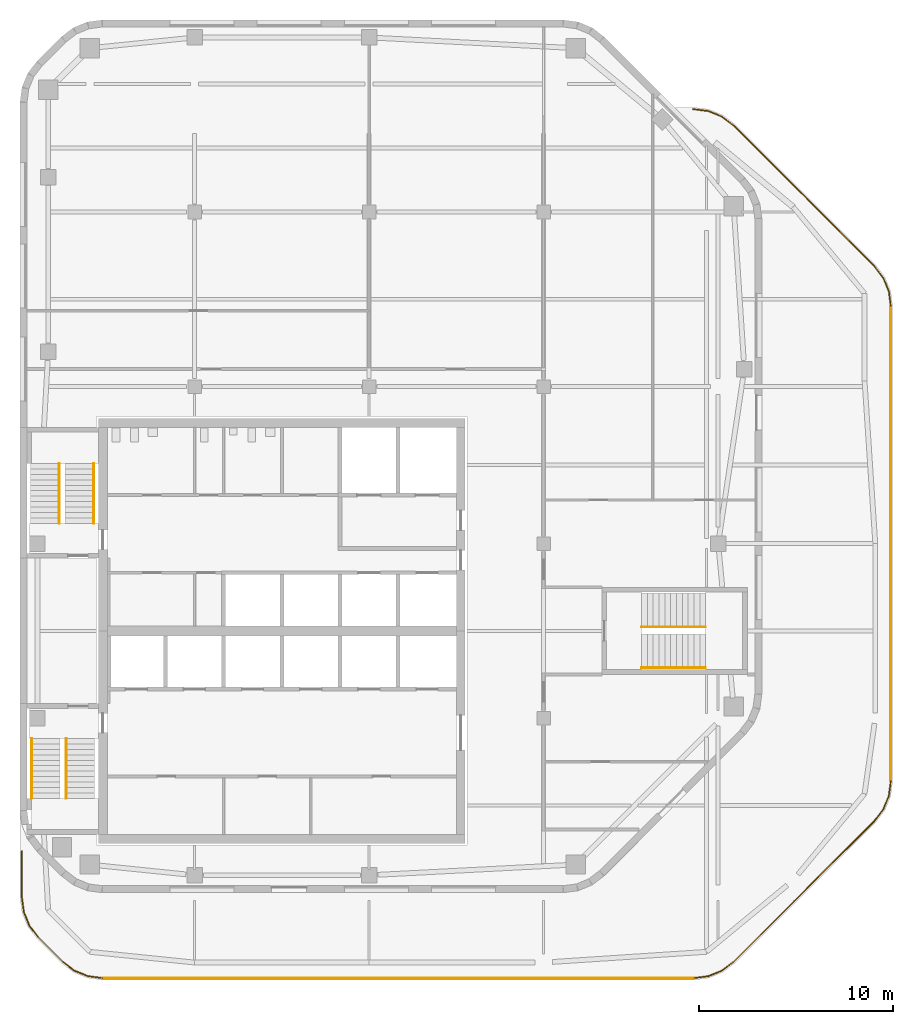
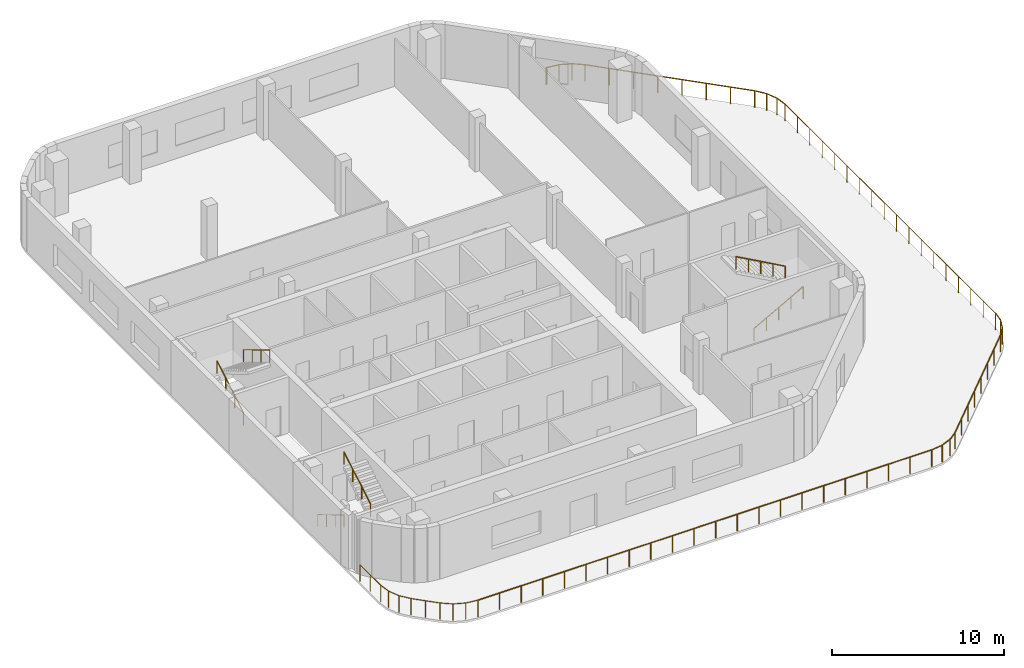
# One storey, part 6 of 7: 11 railings, 3 elements without a shape of their own.
"""IFC4 building model written with IfcOpenShell, lengths in metres."""

from ifc_helpers import new_model, si_unit, direction, frame, origin, origin_2d, place, context, subcontext, project, spatial, circle, extrude, material, type_object, element, aggregate, save


model = new_model("IFC4")

# Units and contexts
model_context = context("Model", 3, precision=1e-05, world=origin(), true_north=direction((0.0, 1.0)))
body_context = subcontext(model_context, "Body", "Model", "MODEL_VIEW")
ifc_project = project(units=[si_unit("LENGTHUNIT", "METRE"), si_unit("AREAUNIT", "SQUARE_METRE"), si_unit("VOLUMEUNIT", "CUBIC_METRE"), si_unit("PLANEANGLEUNIT", "RADIAN"), si_unit("MASSUNIT", "GRAM", prefix="KILO")], contexts=[model_context])

# Site, building, storey
site_placement = place(None, origin())
site = spatial("IfcSite", under=ifc_project, at=site_placement, CompositionType="ELEMENT")
building_placement = place(site_placement, origin())
building = spatial("IfcBuilding", under=site, at=building_placement, Name="Cinnabar Reach Civic Tower", CompositionType="ELEMENT")
storey_placement = place(building_placement, frame((0.0, 0.0, 247.0)))
storey = spatial("IfcBuildingStorey", under=building, at=storey_placement, Name="L59", CompositionType="ELEMENT", Elevation=247.0)

# Railings
ifc_material_1 = material(Name="Stainless steel", Category="steel")
railing_type_1 = type_object("IfcRailingType", Name="Facade terrace guard 1200", PredefinedType="GUARDRAIL", material=ifc_material_1)
railing_1_placement = place(storey_placement, frame((34.6985, 58.4, 0.0)))
element("IfcRailing", 1, at=railing_1_placement, inside=storey, type_object=railing_type_1, Name="Terrace guard", PredefinedType="GUARDRAIL", context=body_context, shape_type="SweptSolid", body=[
    extrude(circle(Radius=0.024, at=origin_2d()), frame((0.0, 0.0, 1.176), z_axis=(1.0, 0.0, 0.0), x_axis=(0.0, 1.0, 0.0)), (0.0, 0.0, 1.0), 0.0523),
    extrude(circle(Radius=0.024, at=origin_2d()), frame((0.0523, 0.0, 1.176), z_axis=(0.991452957962, -0.130464677782, 0.0), x_axis=(0.130464677782, 0.991452957962, 0.0)), (0.0, 0.0, 1.0), 0.7634),
    extrude(circle(Radius=0.024, at=origin_2d()), frame((0.8092, -0.0996, 1.176), z_axis=(0.923841279444, -0.382775770387, 0.0), x_axis=(0.382775770387, 0.923841279444, 0.0)), (0.0, 0.0, 1.0), 0.7568),
    extrude(circle(Radius=0.024, at=origin_2d()), frame((1.5084, -0.3893, 1.176), z_axis=(0.793397594576, -0.608703751361, 0.0), x_axis=(0.608703751361, 0.793397594576, 0.0)), (0.0, 0.0, 1.0), 0.7634),
    extrude(circle(Radius=0.024, at=origin_2d()), frame((2.1141, -0.854, 1.176), z_axis=(0.707106781187, -0.707106781187, 0.0), x_axis=(0.707106781187, 0.707106781187, 0.0)), (0.0, 0.0, 1.0), 10.2296),
    extrude(circle(Radius=0.024, at=origin_2d()), frame((9.3475, -8.0874, 1.176), z_axis=(0.608703751361, -0.793397594576, 0.0), x_axis=(0.793397594576, 0.608703751361, 0.0)), (0.0, 0.0, 1.0), 0.7634),
    extrude(circle(Radius=0.024, at=origin_2d()), frame((9.8122, -8.6931, 1.176), z_axis=(0.382775770387, -0.923841279444, 0.0), x_axis=(0.923841279444, 0.382775770387, 0.0)), (0.0, 0.0, 1.0), 0.7568),
    extrude(circle(Radius=0.024, at=origin_2d()), frame((10.1019, -9.3923, 1.176), z_axis=(0.130464677782, -0.991452957962, 0.0), x_axis=(0.991452957962, 0.130464677782, 0.0)), (0.0, 0.0, 1.0), 0.7634),
    extrude(circle(Radius=0.021, at=origin_2d()), origin(), (0.0, 0.0, 1.0), 1.152),
    extrude(circle(Radius=0.021, at=origin_2d()), frame((0.0523, 0.0, 0.0)), (0.0, 0.0, 1.0), 1.152),
    extrude(circle(Radius=0.021, at=origin_2d()), frame((0.8092, -0.0996, 0.0)), (0.0, 0.0, 1.0), 1.152),
    extrude(circle(Radius=0.021, at=origin_2d()), frame((1.5084, -0.3893, 0.0)), (0.0, 0.0, 1.0), 1.152),
    extrude(circle(Radius=0.021, at=origin_2d()), frame((2.1141, -0.854, 0.0)), (0.0, 0.0, 1.0), 1.152),
    extrude(circle(Radius=0.021, at=origin_2d()), frame((3.1474, -1.8873, 0.0)), (0.0, 0.0, 1.0), 1.152),
    extrude(circle(Radius=0.021, at=origin_2d()), frame((4.1808, -2.9207, 0.0)), (0.0, 0.0, 1.0), 1.152),
    extrude(circle(Radius=0.021, at=origin_2d()), frame((5.2141, -3.954, 0.0)), (0.0, 0.0, 1.0), 1.152),
    extrude(circle(Radius=0.021, at=origin_2d()), frame((6.2475, -4.9874, 0.0)), (0.0, 0.0, 1.0), 1.152),
    extrude(circle(Radius=0.021, at=origin_2d()), frame((7.2808, -6.0207, 0.0)), (0.0, 0.0, 1.0), 1.152),
    extrude(circle(Radius=0.021, at=origin_2d()), frame((8.3142, -7.0541, 0.0)), (0.0, 0.0, 1.0), 1.152),
    extrude(circle(Radius=0.021, at=origin_2d()), frame((9.3475, -8.0874, 0.0)), (0.0, 0.0, 1.0), 1.152),
    extrude(circle(Radius=0.021, at=origin_2d()), frame((9.8122, -8.6931, 0.0)), (0.0, 0.0, 1.0), 1.152),
    extrude(circle(Radius=0.021, at=origin_2d()), frame((10.1019, -9.3923, 0.0)), (0.0, 0.0, 1.0), 1.152),
    extrude(circle(Radius=0.021, at=origin_2d()), frame((10.2015, -10.1492, 0.0)), (0.0, 0.0, 1.0), 1.152),
])
railing_2_placement = place(storey_placement, frame((44.9, 48.2508, 0.0)))
element("IfcRailing", 2, at=railing_2_placement, inside=storey, type_object=railing_type_1, Name="Terrace guard", PredefinedType="GUARDRAIL", context=body_context, shape_type="SweptSolid", body=[
    extrude(circle(Radius=0.024, at=origin_2d()), frame((0.0, 0.0, 1.176), z_axis=(0.0, -1.0, 0.0), x_axis=(1.0, 0.0, 0.0)), (0.0, 0.0, 1.0), 24.5016),
    extrude(circle(Radius=0.021, at=origin_2d()), origin(), (0.0, 0.0, 1.0), 1.152),
    extrude(circle(Radius=0.021, at=origin_2d()), frame((0.0, -1.4413, 0.0)), (0.0, 0.0, 1.0), 1.152),
    extrude(circle(Radius=0.021, at=origin_2d()), frame((0.0, -2.8825, 0.0)), (0.0, 0.0, 1.0), 1.152),
    extrude(circle(Radius=0.021, at=origin_2d()), frame((0.0, -4.3238, 0.0)), (0.0, 0.0, 1.0), 1.152),
    extrude(circle(Radius=0.021, at=origin_2d()), frame((0.0, -5.7651, 0.0)), (0.0, 0.0, 1.0), 1.152),
    extrude(circle(Radius=0.021, at=origin_2d()), frame((0.0, -7.2064, 0.0)), (0.0, 0.0, 1.0), 1.152),
    extrude(circle(Radius=0.021, at=origin_2d()), frame((0.0, -8.6476, 0.0)), (0.0, 0.0, 1.0), 1.152),
    extrude(circle(Radius=0.021, at=origin_2d()), frame((0.0, -10.0889, 0.0)), (0.0, 0.0, 1.0), 1.152),
    extrude(circle(Radius=0.021, at=origin_2d()), frame((0.0, -11.5302, 0.0)), (0.0, 0.0, 1.0), 1.152),
    extrude(circle(Radius=0.021, at=origin_2d()), frame((0.0, -12.9714, 0.0)), (0.0, 0.0, 1.0), 1.152),
    extrude(circle(Radius=0.021, at=origin_2d()), frame((0.0, -14.4127, 0.0)), (0.0, 0.0, 1.0), 1.152),
    extrude(circle(Radius=0.021, at=origin_2d()), frame((0.0, -15.854, 0.0)), (0.0, 0.0, 1.0), 1.152),
    extrude(circle(Radius=0.021, at=origin_2d()), frame((0.0, -17.2952, 0.0)), (0.0, 0.0, 1.0), 1.152),
    extrude(circle(Radius=0.021, at=origin_2d()), frame((0.0, -18.7365, 0.0)), (0.0, 0.0, 1.0), 1.152),
    extrude(circle(Radius=0.021, at=origin_2d()), frame((0.0, -20.1778, 0.0)), (0.0, 0.0, 1.0), 1.152),
    extrude(circle(Radius=0.021, at=origin_2d()), frame((0.0, -21.6191, 0.0)), (0.0, 0.0, 1.0), 1.152),
    extrude(circle(Radius=0.021, at=origin_2d()), frame((0.0, -23.0603, 0.0)), (0.0, 0.0, 1.0), 1.152),
    extrude(circle(Radius=0.021, at=origin_2d()), frame((0.0, -24.5016, 0.0)), (0.0, 0.0, 1.0), 1.152),
])
railing_3_placement = place(storey_placement, frame((44.9, 23.7492, 0.0)))
element("IfcRailing", 3, at=railing_3_placement, inside=storey, type_object=railing_type_1, Name="Terrace guard", PredefinedType="GUARDRAIL", context=body_context, shape_type="SweptSolid", body=[
    extrude(circle(Radius=0.024, at=origin_2d()), frame((0.0, 0.0, 1.176), z_axis=(-0.130464677782, -0.991452957962, 0.0), x_axis=(0.991452957962, -0.130464677782, 0.0)), (0.0, 0.0, 1.0), 0.7634),
    extrude(circle(Radius=0.024, at=origin_2d()), frame((-0.0996, -0.7569, 1.176), z_axis=(-0.382775770387, -0.923841279444, 0.0), x_axis=(0.923841279444, -0.382775770387, 0.0)), (0.0, 0.0, 1.0), 0.7568),
    extrude(circle(Radius=0.024, at=origin_2d()), frame((-0.3893, -1.4561, 1.176), z_axis=(-0.608703751361, -0.793397594576, 0.0), x_axis=(0.793397594576, -0.608703751361, 0.0)), (0.0, 0.0, 1.0), 0.7634),
    extrude(circle(Radius=0.024, at=origin_2d()), frame((-0.854, -2.0618, 1.176), z_axis=(-0.707106781187, -0.707106781187, 0.0), x_axis=(0.707106781187, -0.707106781187, 0.0)), (0.0, 0.0, 1.0), 10.2296),
    extrude(circle(Radius=0.024, at=origin_2d()), frame((-8.0874, -9.2952, 1.176), z_axis=(-0.793397594576, -0.608703751361, 0.0), x_axis=(0.608703751361, -0.793397594576, 0.0)), (0.0, 0.0, 1.0), 0.7634),
    extrude(circle(Radius=0.024, at=origin_2d()), frame((-8.6931, -9.7599, 1.176), z_axis=(-0.923841279444, -0.382775770387, 0.0), x_axis=(0.382775770387, -0.923841279444, 0.0)), (0.0, 0.0, 1.0), 0.7568),
    extrude(circle(Radius=0.024, at=origin_2d()), frame((-9.3923, -10.0496, 1.176), z_axis=(-0.991452957962, -0.130464677782, 0.0), x_axis=(0.130464677782, -0.991452957962, 0.0)), (0.0, 0.0, 1.0), 0.7634),
    extrude(circle(Radius=0.021, at=origin_2d()), origin(), (0.0, 0.0, 1.0), 1.152),
    extrude(circle(Radius=0.021, at=origin_2d()), frame((-0.0996, -0.7569, 0.0)), (0.0, 0.0, 1.0), 1.152),
    extrude(circle(Radius=0.021, at=origin_2d()), frame((-0.3893, -1.4561, 0.0)), (0.0, 0.0, 1.0), 1.152),
    extrude(circle(Radius=0.021, at=origin_2d()), frame((-0.854, -2.0618, 0.0)), (0.0, 0.0, 1.0), 1.152),
    extrude(circle(Radius=0.021, at=origin_2d()), frame((-1.8873, -3.0951, 0.0)), (0.0, 0.0, 1.0), 1.152),
    extrude(circle(Radius=0.021, at=origin_2d()), frame((-2.9207, -4.1285, 0.0)), (0.0, 0.0, 1.0), 1.152),
    extrude(circle(Radius=0.021, at=origin_2d()), frame((-3.954, -5.1618, 0.0)), (0.0, 0.0, 1.0), 1.152),
    extrude(circle(Radius=0.021, at=origin_2d()), frame((-4.9874, -6.1952, 0.0)), (0.0, 0.0, 1.0), 1.152),
    extrude(circle(Radius=0.021, at=origin_2d()), frame((-6.0207, -7.2285, 0.0)), (0.0, 0.0, 1.0), 1.152),
    extrude(circle(Radius=0.021, at=origin_2d()), frame((-7.0541, -8.2619, 0.0)), (0.0, 0.0, 1.0), 1.152),
    extrude(circle(Radius=0.021, at=origin_2d()), frame((-8.0874, -9.2952, 0.0)), (0.0, 0.0, 1.0), 1.152),
    extrude(circle(Radius=0.021, at=origin_2d()), frame((-8.6931, -9.7599, 0.0)), (0.0, 0.0, 1.0), 1.152),
    extrude(circle(Radius=0.021, at=origin_2d()), frame((-9.3923, -10.0496, 0.0)), (0.0, 0.0, 1.0), 1.152),
    extrude(circle(Radius=0.021, at=origin_2d()), frame((-10.1492, -10.1492, 0.0)), (0.0, 0.0, 1.0), 1.152),
])
railing_4_placement = place(storey_placement, frame((34.7508, 13.6, 0.0)))
element("IfcRailing", 4, at=railing_4_placement, inside=storey, type_object=railing_type_1, Name="Terrace guard", PredefinedType="GUARDRAIL", context=body_context, shape_type="SweptSolid", body=[
    extrude(circle(Radius=0.024, at=origin_2d()), frame((0.0, 0.0, 1.176), z_axis=(-1.0, 0.0, 0.0), x_axis=(0.0, -1.0, 0.0)), (0.0, 0.0, 1.0), 30.5016),
    extrude(circle(Radius=0.021, at=origin_2d()), origin(), (0.0, 0.0, 1.0), 1.152),
    extrude(circle(Radius=0.021, at=origin_2d()), frame((-1.4525, 0.0, 0.0)), (0.0, 0.0, 1.0), 1.152),
    extrude(circle(Radius=0.021, at=origin_2d()), frame((-2.9049, 0.0, 0.0)), (0.0, 0.0, 1.0), 1.152),
    extrude(circle(Radius=0.021, at=origin_2d()), frame((-4.3574, 0.0, 0.0)), (0.0, 0.0, 1.0), 1.152),
    extrude(circle(Radius=0.021, at=origin_2d()), frame((-5.8098, 0.0, 0.0)), (0.0, 0.0, 1.0), 1.152),
    extrude(circle(Radius=0.021, at=origin_2d()), frame((-7.2623, 0.0, 0.0)), (0.0, 0.0, 1.0), 1.152),
    extrude(circle(Radius=0.021, at=origin_2d()), frame((-8.7147, 0.0, 0.0)), (0.0, 0.0, 1.0), 1.152),
    extrude(circle(Radius=0.021, at=origin_2d()), frame((-10.1672, 0.0, 0.0)), (0.0, 0.0, 1.0), 1.152),
    extrude(circle(Radius=0.021, at=origin_2d()), frame((-11.6197, 0.0, 0.0)), (0.0, 0.0, 1.0), 1.152),
    extrude(circle(Radius=0.021, at=origin_2d()), frame((-13.0721, 0.0, 0.0)), (0.0, 0.0, 1.0), 1.152),
    extrude(circle(Radius=0.021, at=origin_2d()), frame((-14.5246, 0.0, 0.0)), (0.0, 0.0, 1.0), 1.152),
    extrude(circle(Radius=0.021, at=origin_2d()), frame((-15.977, 0.0, 0.0)), (0.0, 0.0, 1.0), 1.152),
    extrude(circle(Radius=0.021, at=origin_2d()), frame((-17.4295, 0.0, 0.0)), (0.0, 0.0, 1.0), 1.152),
    extrude(circle(Radius=0.021, at=origin_2d()), frame((-18.8819, 0.0, 0.0)), (0.0, 0.0, 1.0), 1.152),
    extrude(circle(Radius=0.021, at=origin_2d()), frame((-20.3344, 0.0, 0.0)), (0.0, 0.0, 1.0), 1.152),
    extrude(circle(Radius=0.021, at=origin_2d()), frame((-21.7869, 0.0, 0.0)), (0.0, 0.0, 1.0), 1.152),
    extrude(circle(Radius=0.021, at=origin_2d()), frame((-23.2393, 0.0, 0.0)), (0.0, 0.0, 1.0), 1.152),
    extrude(circle(Radius=0.021, at=origin_2d()), frame((-24.6918, 0.0, 0.0)), (0.0, 0.0, 1.0), 1.152),
    extrude(circle(Radius=0.021, at=origin_2d()), frame((-26.1442, 0.0, 0.0)), (0.0, 0.0, 1.0), 1.152),
    extrude(circle(Radius=0.021, at=origin_2d()), frame((-27.5967, 0.0, 0.0)), (0.0, 0.0, 1.0), 1.152),
    extrude(circle(Radius=0.021, at=origin_2d()), frame((-29.0491, 0.0, 0.0)), (0.0, 0.0, 1.0), 1.152),
    extrude(circle(Radius=0.021, at=origin_2d()), frame((-30.5016, 0.0, 0.0)), (0.0, 0.0, 1.0), 1.152),
])
railing_5_placement = place(storey_placement, frame((4.2492, 13.6, 0.0)))
element("IfcRailing", 5, at=railing_5_placement, inside=storey, type_object=railing_type_1, Name="Terrace guard", PredefinedType="GUARDRAIL", context=body_context, shape_type="SweptSolid", body=[
    extrude(circle(Radius=0.024, at=origin_2d()), frame((0.0, 0.0, 1.176), z_axis=(-0.991452957962, 0.130464677782, 0.0), x_axis=(-0.130464677782, -0.991452957962, 0.0)), (0.0, 0.0, 1.0), 0.7634),
    extrude(circle(Radius=0.024, at=origin_2d()), frame((-0.7569, 0.0996, 1.176), z_axis=(-0.923841279444, 0.382775770387, 0.0), x_axis=(-0.382775770387, -0.923841279444, 0.0)), (0.0, 0.0, 1.0), 0.7568),
    extrude(circle(Radius=0.024, at=origin_2d()), frame((-1.4561, 0.3893, 1.176), z_axis=(-0.793397594576, 0.608703751361, 0.0), x_axis=(-0.608703751361, -0.793397594576, 0.0)), (0.0, 0.0, 1.0), 0.7634),
    extrude(circle(Radius=0.024, at=origin_2d()), frame((-2.0618, 0.854, 1.176), z_axis=(-0.707106781187, 0.707106781187, 0.0), x_axis=(-0.707106781187, -0.707106781187, 0.0)), (0.0, 0.0, 1.0), 1.7443),
    extrude(circle(Radius=0.024, at=origin_2d()), frame((-3.2952, 2.0874, 1.176), z_axis=(-0.608703751361, 0.793397594576, 0.0), x_axis=(-0.793397594576, -0.608703751361, 0.0)), (0.0, 0.0, 1.0), 0.7634),
    extrude(circle(Radius=0.024, at=origin_2d()), frame((-3.7599, 2.6931, 1.176), z_axis=(-0.382775770387, 0.923841279444, 0.0), x_axis=(-0.923841279444, -0.382775770387, 0.0)), (0.0, 0.0, 1.0), 0.7568),
    extrude(circle(Radius=0.024, at=origin_2d()), frame((-4.0496, 3.3923, 1.176), z_axis=(-0.130464677782, 0.991452957962, 0.0), x_axis=(-0.991452957962, -0.130464677782, 0.0)), (0.0, 0.0, 1.0), 0.7634),
    extrude(circle(Radius=0.024, at=origin_2d()), frame((-4.1492, 4.1492, 1.176), z_axis=(0.0, 1.0, 0.0), x_axis=(-1.0, 0.0, 0.0)), (0.0, 0.0, 1.0), 2.4013),
    extrude(circle(Radius=0.021, at=origin_2d()), origin(), (0.0, 0.0, 1.0), 1.152),
    extrude(circle(Radius=0.021, at=origin_2d()), frame((-0.7569, 0.0996, 0.0)), (0.0, 0.0, 1.0), 1.152),
    extrude(circle(Radius=0.021, at=origin_2d()), frame((-1.4561, 0.3893, 0.0)), (0.0, 0.0, 1.0), 1.152),
    extrude(circle(Radius=0.021, at=origin_2d()), frame((-2.0618, 0.854, 0.0)), (0.0, 0.0, 1.0), 1.152),
    extrude(circle(Radius=0.021, at=origin_2d()), frame((-2.6785, 1.4707, 0.0)), (0.0, 0.0, 1.0), 1.152),
    extrude(circle(Radius=0.021, at=origin_2d()), frame((-3.2952, 2.0874, 0.0)), (0.0, 0.0, 1.0), 1.152),
    extrude(circle(Radius=0.021, at=origin_2d()), frame((-3.7599, 2.6931, 0.0)), (0.0, 0.0, 1.0), 1.152),
    extrude(circle(Radius=0.021, at=origin_2d()), frame((-4.0496, 3.3923, 0.0)), (0.0, 0.0, 1.0), 1.152),
    extrude(circle(Radius=0.021, at=origin_2d()), frame((-4.1492, 4.1492, 0.0)), (0.0, 0.0, 1.0), 1.152),
    extrude(circle(Radius=0.021, at=origin_2d()), frame((-4.1492, 5.3498, 0.0)), (0.0, 0.0, 1.0), 1.152),
    extrude(circle(Radius=0.021, at=origin_2d()), frame((-4.1492, 6.5505, 0.0)), (0.0, 0.0, 1.0), 1.152),
])

# Stair, railings
ifc_material_2 = material(Name="Concrete C40/50", Category="concrete")
stair_type = type_object("IfcStairType", Name="T1 Exit stair, half-turn", PredefinedType="HALF_TURN_STAIR", material=ifc_material_2)
stair_1_placement = place(storey_placement, origin())
stair_1 = element("IfcStair", 6, at=stair_1_placement, inside=storey, type_object=stair_type, Name="Stair T1-S1", PredefinedType="HALF_TURN_STAIR")
ifc_material_3 = material(Name="Stainless steel tube", Category="steel")
railing_type_2 = type_object("IfcRailingType", Name="T1 Stair handrail, stainless tube 48", PredefinedType="HANDRAIL", material=ifc_material_3)
railing_6_placement = place(storey_placement, frame((0.6, 25.95, 0.1667)))
railing_6 = element("IfcRailing", 7, at=railing_6_placement, type_object=railing_type_2, Name="T1-S1 handrail 1", PredefinedType="HANDRAIL", context=body_context, shape_type="SweptSolid", body=[
    extrude(circle(Radius=0.024, at=origin_2d()), frame((0.0, 0.0, 0.876), z_axis=(0.0, -0.859296971757, 0.511476992962), x_axis=(1.0, 0.0, 0.0)), (0.0, 0.0, 1.0), 3.5843),
    extrude(circle(Radius=0.021, at=origin_2d()), origin(), (0.0, 0.0, 1.0), 0.852),
    extrude(circle(Radius=0.021, at=origin_2d()), frame((0.0, -1.0267, 0.6111)), (0.0, 0.0, 1.0), 0.852),
    extrude(circle(Radius=0.021, at=origin_2d()), frame((0.0, -2.0533, 1.2222)), (0.0, 0.0, 1.0), 0.852),
    extrude(circle(Radius=0.021, at=origin_2d()), frame((0.0, -3.08, 1.8333)), (0.0, 0.0, 1.0), 0.852),
])
railing_7_placement = place(storey_placement, frame((2.375, 22.87, 2.1667)))
railing_7 = element("IfcRailing", 8, at=railing_7_placement, type_object=railing_type_2, Name="T1-S1 handrail 2", PredefinedType="HANDRAIL", context=body_context, shape_type="SweptSolid", body=[
    extrude(circle(Radius=0.024, at=origin_2d()), frame((0.0, 0.0, 0.876), z_axis=(0.0, 0.859296971757, 0.511476992962), x_axis=(-1.0, 0.0, 0.0)), (0.0, 0.0, 1.0), 3.5843),
    extrude(circle(Radius=0.021, at=origin_2d()), origin(), (0.0, 0.0, 1.0), 0.852),
    extrude(circle(Radius=0.021, at=origin_2d()), frame((0.0, 1.0267, 0.6111)), (0.0, 0.0, 1.0), 0.852),
    extrude(circle(Radius=0.021, at=origin_2d()), frame((0.0, 2.0533, 1.2222)), (0.0, 0.0, 1.0), 0.852),
    extrude(circle(Radius=0.021, at=origin_2d()), frame((0.0, 3.08, 1.8333)), (0.0, 0.0, 1.0), 0.852),
])
aggregate(stair_1, [railing_6, railing_7])

stair_2_placement = place(storey_placement, origin())
stair_2 = element("IfcStair", 9, at=stair_2_placement, inside=storey, type_object=stair_type, Name="Stair T1-S2", PredefinedType="HALF_TURN_STAIR")
railing_8_placement = place(storey_placement, frame((2.025, 37.05, 0.1667)))
railing_8 = element("IfcRailing", 10, at=railing_8_placement, type_object=railing_type_2, Name="T1-S2 handrail 1", PredefinedType="HANDRAIL", context=body_context, shape_type="SweptSolid", body=[
    extrude(circle(Radius=0.024, at=origin_2d()), frame((0.0, 0.0, 0.876), z_axis=(0.0, 0.859296971757, 0.511476992962), x_axis=(-1.0, 0.0, 0.0)), (0.0, 0.0, 1.0), 3.5843),
    extrude(circle(Radius=0.021, at=origin_2d()), origin(), (0.0, 0.0, 1.0), 0.852),
    extrude(circle(Radius=0.021, at=origin_2d()), frame((0.0, 1.0267, 0.6111)), (0.0, 0.0, 1.0), 0.852),
    extrude(circle(Radius=0.021, at=origin_2d()), frame((0.0, 2.0533, 1.2222)), (0.0, 0.0, 1.0), 0.852),
    extrude(circle(Radius=0.021, at=origin_2d()), frame((0.0, 3.08, 1.8333)), (0.0, 0.0, 1.0), 0.852),
])
railing_9_placement = place(storey_placement, frame((3.8, 40.13, 2.1667)))
railing_9 = element("IfcRailing", 11, at=railing_9_placement, type_object=railing_type_2, Name="T1-S2 handrail 2", PredefinedType="HANDRAIL", context=body_context, shape_type="SweptSolid", body=[
    extrude(circle(Radius=0.024, at=origin_2d()), frame((0.0, 0.0, 0.876), z_axis=(0.0, -0.859296971757, 0.511476992962), x_axis=(1.0, 0.0, 0.0)), (0.0, 0.0, 1.0), 3.5843),
    extrude(circle(Radius=0.021, at=origin_2d()), origin(), (0.0, 0.0, 1.0), 0.852),
    extrude(circle(Radius=0.021, at=origin_2d()), frame((0.0, -1.0267, 0.6111)), (0.0, 0.0, 1.0), 0.852),
    extrude(circle(Radius=0.021, at=origin_2d()), frame((0.0, -2.0533, 1.2222)), (0.0, 0.0, 1.0), 0.852),
    extrude(circle(Radius=0.021, at=origin_2d()), frame((0.0, -3.08, 1.8333)), (0.0, 0.0, 1.0), 0.852),
])
aggregate(stair_2, [railing_8, railing_9])

stair_3_placement = place(storey_placement, origin())
stair_3 = element("IfcStair", 12, at=stair_3_placement, inside=storey, type_object=stair_type, Name="Stair T1-S3", PredefinedType="HALF_TURN_STAIR")
railing_10_placement = place(storey_placement, frame((32.05, 29.6, 0.1667)))
railing_10 = element("IfcRailing", 13, at=railing_10_placement, type_object=railing_type_2, Name="T1-S3 handrail 1", PredefinedType="HANDRAIL", context=body_context, shape_type="SweptSolid", body=[
    extrude(circle(Radius=0.024, at=origin_2d()), frame((0.0, 0.0, 0.876), z_axis=(0.874161024642, 0.0, 0.485636183781), x_axis=(0.0, 1.0, 0.0)), (0.0, 0.0, 1.0), 3.775),
    extrude(circle(Radius=0.021, at=origin_2d()), origin(), (0.0, 0.0, 1.0), 0.852),
    extrude(circle(Radius=0.021, at=origin_2d()), frame((0.825, 0.0, 0.4583)), (0.0, 0.0, 1.0), 0.852),
    extrude(circle(Radius=0.021, at=origin_2d()), frame((1.65, 0.0, 0.9167)), (0.0, 0.0, 1.0), 0.852),
    extrude(circle(Radius=0.021, at=origin_2d()), frame((2.475, 0.0, 1.375)), (0.0, 0.0, 1.0), 0.852),
    extrude(circle(Radius=0.021, at=origin_2d()), frame((3.3, 0.0, 1.8333)), (0.0, 0.0, 1.0), 0.852),
])
railing_11_placement = place(storey_placement, frame((35.35, 31.7, 2.1667)))
railing_11 = element("IfcRailing", 14, at=railing_11_placement, type_object=railing_type_2, Name="T1-S3 handrail 2", PredefinedType="HANDRAIL", context=body_context, shape_type="SweptSolid", body=[
    extrude(circle(Radius=0.024, at=origin_2d()), frame((0.0, 0.0, 0.876), z_axis=(-0.874161024642, 0.0, 0.485636183781), x_axis=(0.0, -1.0, 0.0)), (0.0, 0.0, 1.0), 3.775),
    extrude(circle(Radius=0.021, at=origin_2d()), origin(), (0.0, 0.0, 1.0), 0.852),
    extrude(circle(Radius=0.021, at=origin_2d()), frame((-0.825, 0.0, 0.4583)), (0.0, 0.0, 1.0), 0.852),
    extrude(circle(Radius=0.021, at=origin_2d()), frame((-1.65, 0.0, 0.9167)), (0.0, 0.0, 1.0), 0.852),
    extrude(circle(Radius=0.021, at=origin_2d()), frame((-2.475, 0.0, 1.375)), (0.0, 0.0, 1.0), 0.852),
    extrude(circle(Radius=0.021, at=origin_2d()), frame((-3.3, 0.0, 1.8333)), (0.0, 0.0, 1.0), 0.852),
])
aggregate(stair_3, [railing_10, railing_11])

save(model, "model.ifc")
